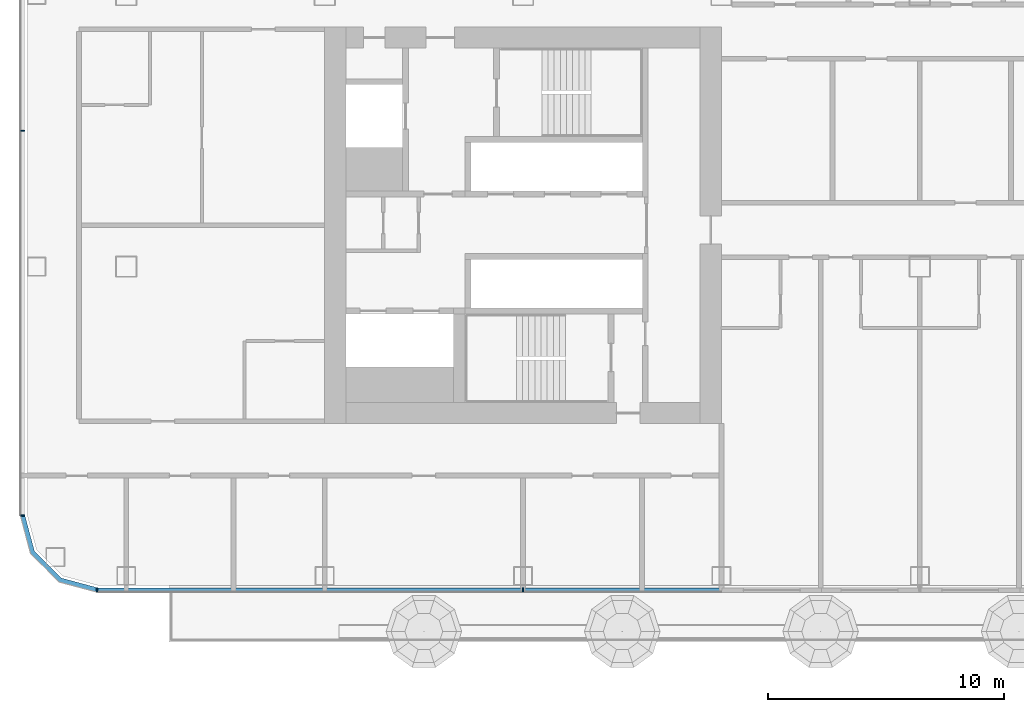
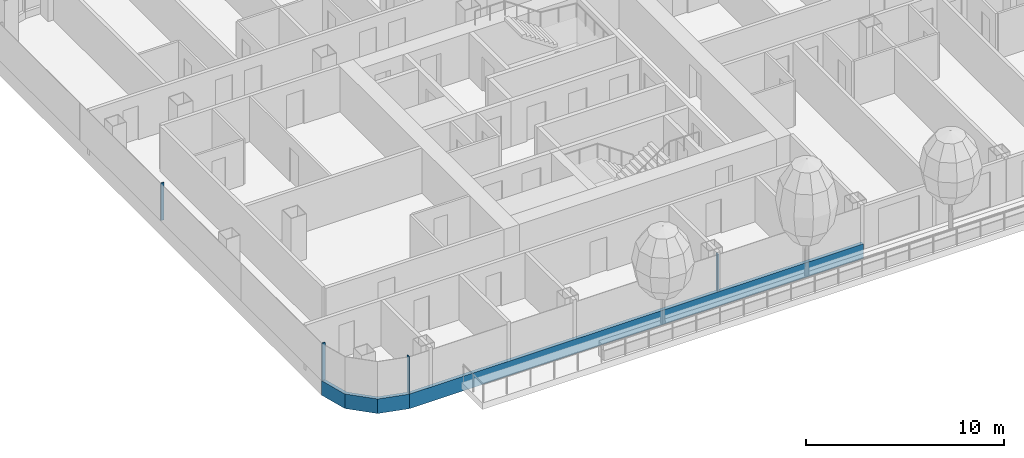
# One storey, part 2 of 34: 6 members, 3 elements without a shape of their own.
"""IFC4 building model written with IfcOpenShell, lengths in metres."""

from ifc_helpers import new_model, si_unit, direction, frame, origin, origin_2d, place, context, subcontext, project, spatial, polyline, rectangle, outline, extrude, material, layer, layer_set, material_profile, profile_set, type_object, element, aggregate, save


model = new_model("IFC4")

# Units and contexts
model_context = context("Model", 3, precision=1e-05, world=origin(), true_north=direction((0.0, 1.0)))
body_context = subcontext(model_context, "Body", "Model", "MODEL_VIEW")
ifc_project = project(units=[si_unit("LENGTHUNIT", "METRE"), si_unit("AREAUNIT", "SQUARE_METRE"), si_unit("VOLUMEUNIT", "CUBIC_METRE"), si_unit("PLANEANGLEUNIT", "RADIAN"), si_unit("MASSUNIT", "GRAM", prefix="KILO")], contexts=[model_context])

# Site, building, storey
site_placement = place(None, origin())
site = spatial("IfcSite", under=ifc_project, at=site_placement, CompositionType="ELEMENT")
building_placement = place(site_placement, origin())
building = spatial("IfcBuilding", under=site, at=building_placement, Name="Hakoniwa Tower and Hamabe Station Hall", CompositionType="ELEMENT")
storey_placement = place(building_placement, frame((0.0, 0.0, 94.60009765625)))
storey = spatial("IfcBuildingStorey", under=building, at=storey_placement, Name="L26", CompositionType="ELEMENT", Elevation=94.60009765625)

# Curtain wall, member
ifc_material_1 = material(Name="Dark low-e laminated glass", Category="glass")
ifc_layer = layer(ifc_material_1, 0.199951171875)
ifc_layer_set = layer_set([ifc_layer], Name="CW-1 UNITISED GUEST")
curtain_wall_type = type_object("IfcCurtainWallType", Name="CW-1 UNITISED GUEST", PredefinedType="NOTDEFINED", material=ifc_layer_set)
curtain_wall_1_placement = place(storey_placement, origin())
curtain_wall_1 = element("IfcCurtainWall", 1, at=curtain_wall_1_placement, inside=storey, type_object=curtain_wall_type, Name="CW-1 curtain wall", PredefinedType="NOTDEFINED")
ifc_material_2 = material(Name="Aluminium 6063-T5 black anodised", Category="aluminium")
ifc_material_profile_1 = material_profile(ifc_material_2, rectangle(XDim=0.199951171875, YDim=0.89990234375, at=origin_2d()), Name="CW SLAB-EDGE BAND 900X200")
ifc_profile_set_1 = profile_set([ifc_material_profile_1], Name="Aluminium 6063-T5 black anodised")
member_type_1 = type_object("IfcMemberType", Name="CW SLAB-EDGE BAND 900X200", PredefinedType="USERDEFINED", material=ifc_profile_set_1)
member_1_placement = place(storey_placement, frame((0.0, 0.0, -0.550048828125)))
member_1 = element("IfcMember", 2, at=member_1_placement, type_object=member_type_1, Name="CW-1 transom", ObjectType="TRANSOM", PredefinedType="USERDEFINED", context=body_context, shape_type="SweptSolid", body=[
    extrude(outline(polyline([(-46.5, -12.28955078125), (-46.067138671875, -13.9052734375), (-44.855224609375, -15.116943359375), (-43.239501953125, -15.550048828125), (-43.187744140625, -15.35693359375), (-44.751708984375, -14.937744140625), (-45.8876953125, -13.8017578125), (-46.306884765625, -12.23779296875), (-46.5, -12.28955078125)])), origin(), (0.0, 0.0, 1.0), 0.89990234375),
])
aggregate(curtain_wall_1, [member_1])

curtain_wall_2_placement = place(storey_placement, origin())
curtain_wall_2 = element("IfcCurtainWall", 3, at=curtain_wall_2_placement, inside=storey, type_object=curtain_wall_type, Name="CW-1 curtain wall", PredefinedType="NOTDEFINED")
member_2_placement = place(storey_placement, frame((-43.239501953125, -15.449951171875, -0.10009765625), z_axis=(1.0, 0.0, 0.0), x_axis=(0.0, 1.0, 0.0)))
member_2 = element("IfcMember", 4, at=member_2_placement, type_object=member_type_1, Name="CW-1 transom", ObjectType="TRANSOM", PredefinedType="USERDEFINED", context=body_context, shape_type="SweptSolid", body=[
    extrude(rectangle(XDim=0.199951171875, YDim=0.89990234375, at=origin_2d()), origin(), (0.0, 0.0, 1.0), 26.49951171875),
])

# Curtain wall, members
curtain_wall_3_placement = place(storey_placement, origin())
curtain_wall_3 = element("IfcCurtainWall", 5, at=curtain_wall_3_placement, inside=storey, type_object=curtain_wall_type, Name="CW-1 curtain wall", PredefinedType="NOTDEFINED")
ifc_material_3 = material(Name="Aluminium 6063-T5 black anodised", Category="aluminium")
ifc_material_profile_2 = material_profile(ifc_material_3, rectangle(XDim=0.06005859375, YDim=0.179931640625, at=origin_2d()), Name="CW-1 MULLION 60X180")
ifc_profile_set_2 = profile_set([ifc_material_profile_2], Name="Aluminium 6063-T5 black anodised")
member_type_2 = type_object("IfcMemberType", Name="CW-1 MULLION 60X180", PredefinedType="MULLION", material=ifc_profile_set_2)
member_3_placement = place(storey_placement, frame((-46.382080078125, 4.0, 0.349853515625), z_axis=(0.0, 0.0, 1.0), x_axis=(0.0, -1.0, 0.0)))
member_3 = element("IfcMember", 6, at=member_3_placement, type_object=member_type_2, Name="CW-1 mullion", PredefinedType="MULLION", context=body_context, shape_type="SweptSolid", body=[
    extrude(rectangle(XDim=0.06005859375, YDim=0.179931640625, at=origin_2d()), origin(), (0.0, 0.0, 1.0), 2.300048828125),
])
member_4_placement = place(storey_placement, frame((-46.382080078125, -12.28955078125, 0.349853515625), z_axis=(0.0, 0.0, 1.0), x_axis=(0.0, -1.0, 0.0)))
member_4 = element("IfcMember", 7, at=member_4_placement, type_object=member_type_2, Name="CW-1 mullion", PredefinedType="MULLION", context=body_context, shape_type="SweptSolid", body=[
    extrude(rectangle(XDim=0.06005859375, YDim=0.179931640625, at=origin_2d()), origin(), (0.0, 0.0, 1.0), 2.300048828125),
])
aggregate(curtain_wall_3, [member_3, member_4])

# Member
member_5_placement = place(storey_placement, frame((-43.239501953125, -15.431884765625, 0.349853515625), z_axis=(0.0, 0.0, 1.0), x_axis=(1.0, 0.0, 0.0)))
member_5 = element("IfcMember", 8, at=member_5_placement, type_object=member_type_2, Name="CW-1 mullion", PredefinedType="MULLION", context=body_context, shape_type="SweptSolid", body=[
    extrude(rectangle(XDim=0.06005859375, YDim=0.179931640625, at=origin_2d()), origin(), (0.0, 0.0, 1.0), 2.300048828125),
])

member_6_placement = place(storey_placement, frame((-25.199951171875, -15.431884765625, 0.349853515625), z_axis=(0.0, 0.0, 1.0), x_axis=(1.0, 0.0, 0.0)))
member_6 = element("IfcMember", 9, at=member_6_placement, type_object=member_type_2, Name="CW-1 mullion", PredefinedType="MULLION", context=body_context, shape_type="SweptSolid", body=[
    extrude(rectangle(XDim=0.06005859375, YDim=0.179931640625, at=origin_2d()), origin(), (0.0, 0.0, 1.0), 2.300048828125),
])

aggregate(curtain_wall_2, [member_5, member_6, member_2])

save(model, "model.ifc")
